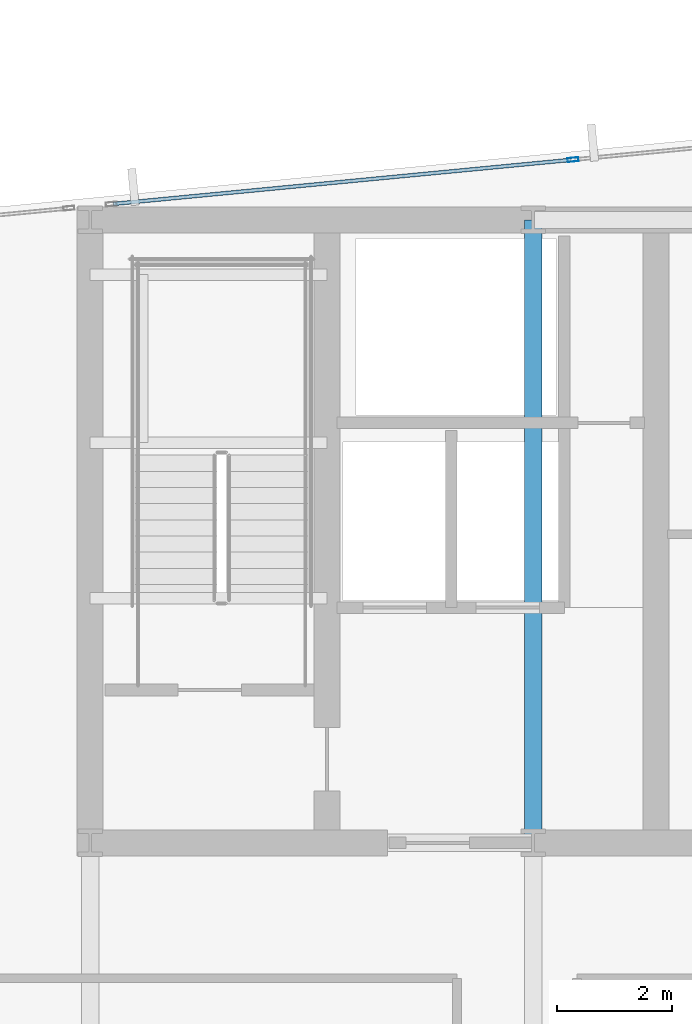
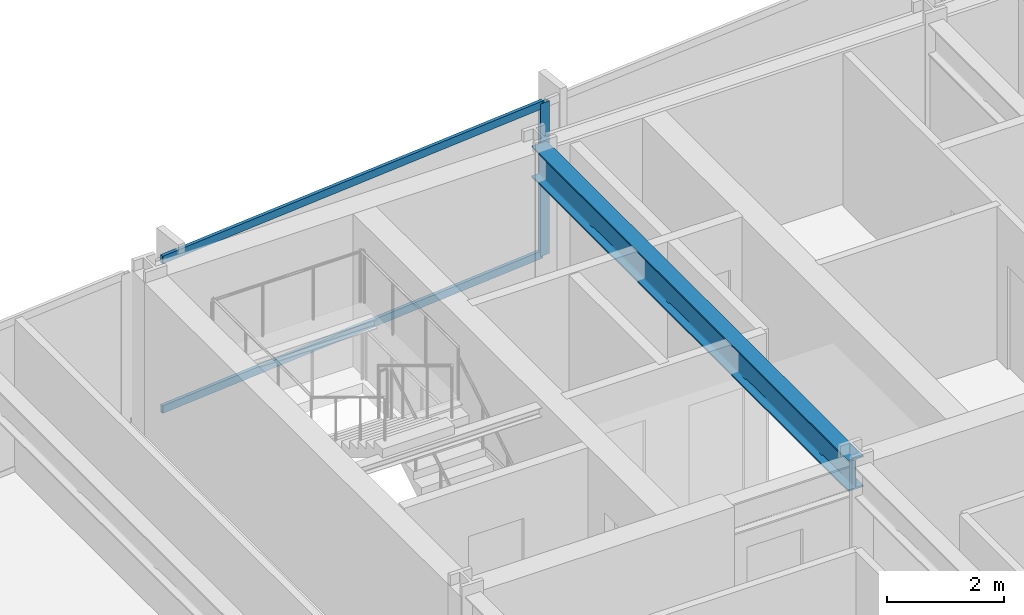
# One storey, part 18 of 32: 3 members, 1 beam, 1 element without a shape of its own.
"""IFC4 building model written with IfcOpenShell, lengths in metres."""

from ifc_helpers import new_model, si_unit, direction, frame, origin, origin_2d, place, context, subcontext, project, spatial, hollow_rectangle, i_section, extrude, material, material_profile, profile_set, type_object, element, aggregate, save


model = new_model("IFC4")

# Units and contexts
model_context = context("Model", 3, precision=1e-05, world=origin(), true_north=direction((0.0, 1.0)))
body_context = subcontext(model_context, "Body", "Model", "MODEL_VIEW")
ifc_project = project(units=[si_unit("LENGTHUNIT", "METRE"), si_unit("AREAUNIT", "SQUARE_METRE"), si_unit("VOLUMEUNIT", "CUBIC_METRE"), si_unit("PLANEANGLEUNIT", "RADIAN"), si_unit("MASSUNIT", "GRAM", prefix="KILO")], contexts=[model_context])

# Site, building, storey
site_placement = place(None, origin())
site = spatial("IfcSite", under=ifc_project, at=site_placement, CompositionType="ELEMENT")
building_placement = place(site_placement, origin())
building = spatial("IfcBuilding", under=site, at=building_placement, Name="Yelkora Congress Tower", CompositionType="ELEMENT")
storey_placement = place(building_placement, frame((0.0, 0.0, 96.5)))
storey = spatial("IfcBuildingStorey", under=building, at=storey_placement, Name="L25", CompositionType="ELEMENT", Elevation=96.5)

# Beam
ifc_material_1 = material(Name="Steel S355J2", Category="steel")
ifc_material_profile_1 = material_profile(ifc_material_1, i_section(OverallWidth=0.300048828125, OverallDepth=0.64990234375, WebThickness=0.01611328125, FlangeThickness=0.031005859375, FilletRadius=0.027099609375, at=origin_2d()), Name="HEB 650")
ifc_profile_set_1 = profile_set([ifc_material_profile_1], Name="Steel S355J2")
beam_type = type_object("IfcBeamType", Name="BM-GIRD-HEB650", PredefinedType="BEAM", material=ifc_profile_set_1)
beam_placement = place(storey_placement, frame((30.719970703125, 35.39990234375, 2.85498046875), z_axis=(0.0, 1.0, 0.0), x_axis=(-1.0, 0.0, 0.0)))
element("IfcBeam", 1, at=beam_placement, inside=storey, type_object=beam_type, Name="L25 Core Tie Girder MC-S2", PredefinedType="BEAM", context=body_context, shape_type="SweptSolid", body=[
    extrude(i_section(OverallWidth=0.300048828125, OverallDepth=0.64990234375, WebThickness=0.01611328125, FlangeThickness=0.031005859375, FilletRadius=0.027099609375, at=origin_2d()), origin(), (0.0, 0.0, 1.0), 10.800048828125),
])

# Curtain wall, members
ifc_material_2 = material(Name="Anodised aluminium and insulated glass", Category="aluminium")
curtain_wall_type = type_object("IfcCurtainWallType", Name="CW-SYS-B2", PredefinedType="NOTDEFINED", material=ifc_material_2)
curtain_wall_placement = place(storey_placement, origin())
curtain_wall = element("IfcCurtainWall", 2, at=curtain_wall_placement, inside=storey, type_object=curtain_wall_type, Name="L25 Unitised Curtain Wall 10 (3)", PredefinedType="NOTDEFINED")
ifc_material_3 = material(Name="Anodised aluminium 6063-T6", Category="aluminium")
ifc_material_profile_2 = material_profile(ifc_material_3, hollow_rectangle(XDim=0.070068359375, YDim=0.18994140625, WallThickness=0.00390625, at=origin_2d()), Name="ALU 70x190x4")
ifc_profile_set_2 = profile_set([ifc_material_profile_2], Name="Anodised aluminium 6063-T6")
member_type_1 = type_object("IfcMemberType", Name="MEM-ML-B2", PredefinedType="MULLION", material=ifc_profile_set_2)
member_1_placement = place(storey_placement, frame((31.411865234375, 47.244140625, 0.0), z_axis=(0.0, 0.0, 1.0), x_axis=(-0.095844238468, 0.995396344153, 0.0)))
member_1 = element("IfcMember", 3, at=member_1_placement, type_object=member_type_1, Name="CW-B2 mullion 2", PredefinedType="MULLION", context=body_context, shape_type="SweptSolid", body=[
    extrude(hollow_rectangle(XDim=0.070068359375, YDim=0.18994140625, WallThickness=0.00390625, at=origin_2d()), origin(), (0.0, 0.0, 1.0), 3.179931640625),
])
ifc_material_profile_3 = material_profile(ifc_material_3, hollow_rectangle(XDim=0.06494140625, YDim=0.159912109375, WallThickness=0.00390625, at=origin_2d()), Name="ALU 65x160x4")
ifc_profile_set_3 = profile_set([ifc_material_profile_3], Name="Anodised aluminium 6063-T6")
member_type_2 = type_object("IfcMemberType", Name="MEM-TR-B2", PredefinedType="USERDEFINED", material=ifc_profile_set_3)
member_2_placement = place(storey_placement, frame((23.441650390625, 46.476806640625, 0.032470703125), z_axis=(0.995398474706, 0.09582210889, 0.0), x_axis=(-0.09582210889, 0.995398474706, 0.0)))
member_2 = element("IfcMember", 4, at=member_2_placement, type_object=member_type_2, Name="CW-B2 transom 1.1", ObjectType="TRANSOM", PredefinedType="USERDEFINED", context=body_context, shape_type="SweptSolid", body=[
    extrude(hollow_rectangle(XDim=0.06494140625, YDim=0.159912109375, WallThickness=0.00390625, at=origin_2d()), origin(), (0.0, 0.0, 1.0), 7.97216796875),
])
member_3_placement = place(storey_placement, frame((23.441650390625, 46.476806640625, 3.1474609375), z_axis=(0.995398474706, 0.09582210889, 0.0), x_axis=(-0.09582210889, 0.995398474706, 0.0)))
member_3 = element("IfcMember", 5, at=member_3_placement, type_object=member_type_2, Name="CW-B2 transom 1.2", ObjectType="TRANSOM", PredefinedType="USERDEFINED", context=body_context, shape_type="SweptSolid", body=[
    extrude(hollow_rectangle(XDim=0.06494140625, YDim=0.159912109375, WallThickness=0.00390625, at=origin_2d()), origin(), (0.0, 0.0, 1.0), 7.97216796875),
])
aggregate(curtain_wall, [member_1, member_2, member_3])

save(model, "model.ifc")
